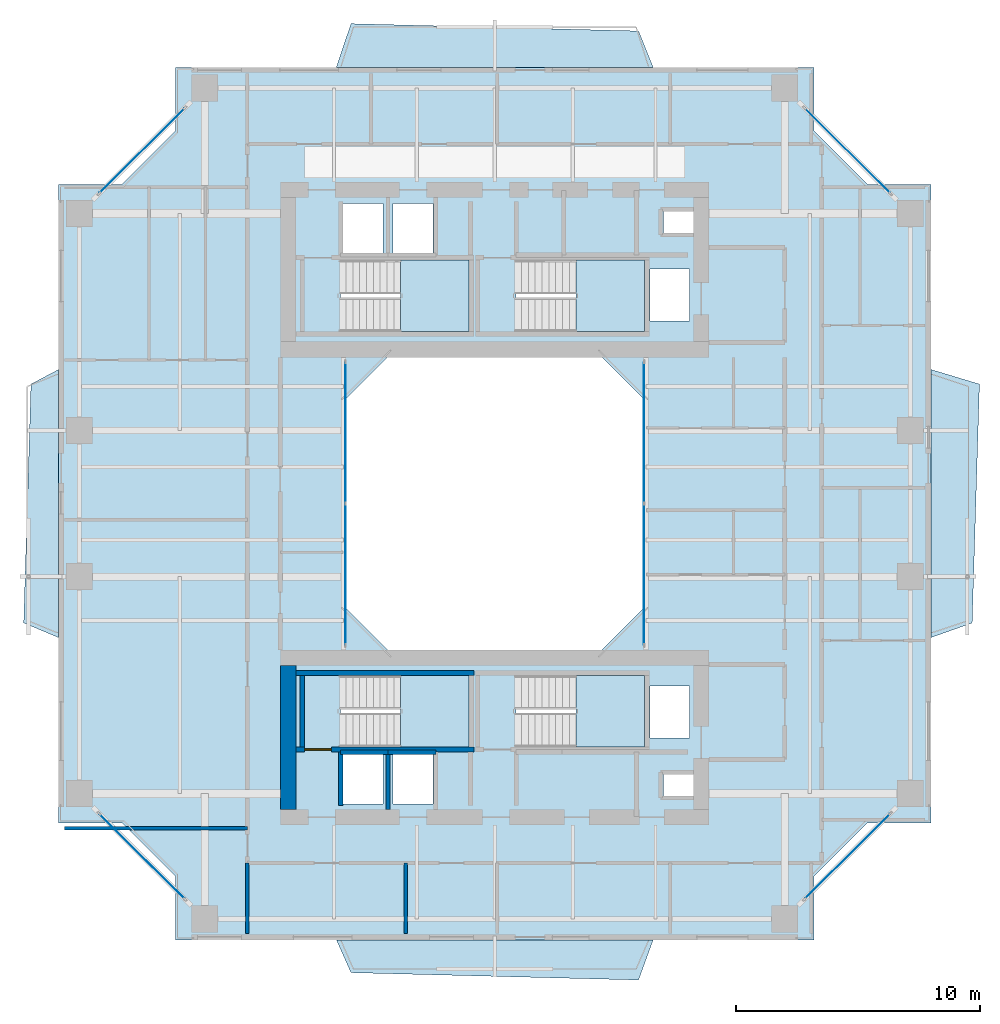
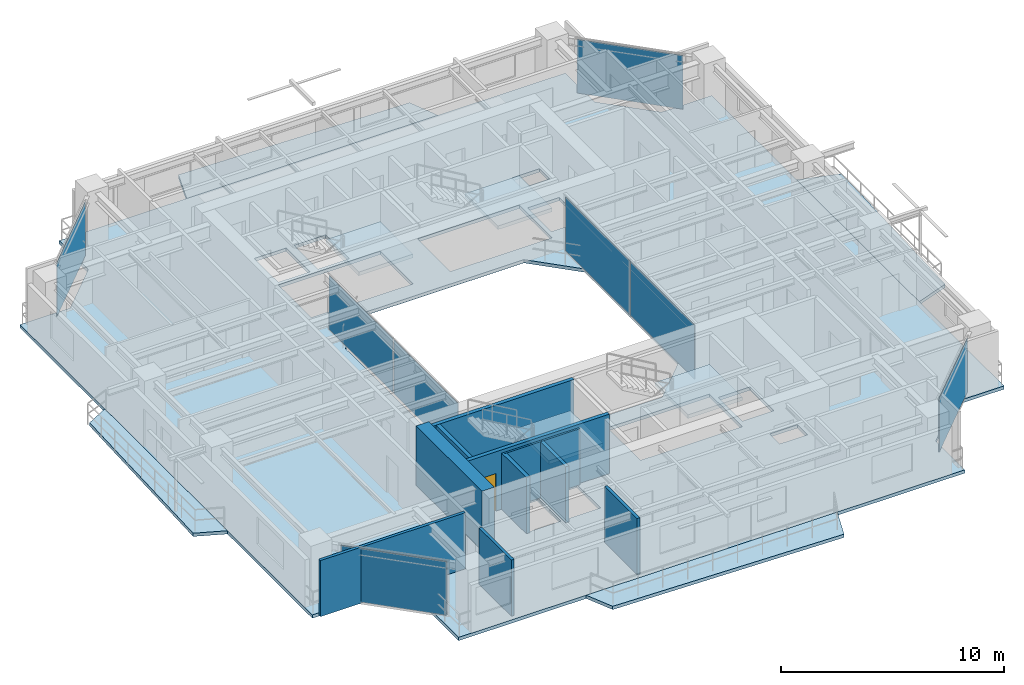
# One storey, part 9 of 17: 11 walls, 9 slabs, 8 plates, 1 door, 1 opening, 10 elements without a shape of their own.
"""IFC4 building model written with IfcOpenShell, lengths in metres."""

from ifc_helpers import new_model, si_unit, direction, frame, frame_2d, origin, origin_2d, place, context, subcontext, project, spatial, polyline, rectangle, outline, extrude, source, transform, mapped, material, layer, layer_set, type_object, element, fill, aggregate, save


model = new_model("IFC4")

# Units and contexts
model_context = context("Model", 3, precision=1e-05, world=origin(), true_north=direction((0.0, 1.0)))
body_context = subcontext(model_context, "Body", "Model", "MODEL_VIEW")
ifc_project = project(units=[si_unit("LENGTHUNIT", "METRE"), si_unit("AREAUNIT", "SQUARE_METRE"), si_unit("VOLUMEUNIT", "CUBIC_METRE"), si_unit("PLANEANGLEUNIT", "RADIAN"), si_unit("MASSUNIT", "GRAM", prefix="KILO"), si_unit("THERMODYNAMICTEMPERATUREUNIT", "KELVIN"), si_unit("POWERUNIT", "WATT")], contexts=[model_context])

# Site, building, storey
site_placement = place(None, origin())
site = spatial("IfcSite", under=ifc_project, at=site_placement, CompositionType="ELEMENT")
building_placement = place(site_placement, origin())
building = spatial("IfcBuilding", under=site, at=building_placement, Name="Qiaomeng Ring Towers", CompositionType="ELEMENT")
storey_placement = place(building_placement, frame((0.0, 0.0, 116.5)))
storey = spatial("IfcBuildingStorey", under=building, at=storey_placement, Name="L33", CompositionType="ELEMENT", Elevation=116.5)

# Slabs
ifc_material_1 = material(Name="Concrete C40", Category="concrete")
ifc_layer_1 = layer(ifc_material_1, 0.179931640625, Name="Concrete C40")
ifc_layer_set_1 = layer_set([ifc_layer_1], Name="Concrete C40")
slab_type_1 = type_object("IfcSlabType", Name="STR-SL-180", PredefinedType="FLOOR", material=ifc_layer_set_1)
slab_1_placement = place(storey_placement, frame((0.0, 0.0, -0.179931640625)))
element("IfcSlab", 1, at=slab_1_placement, inside=storey, type_object=slab_type_1, Name="L33 Tower 1 Annular Floor Slab", PredefinedType="FLOOR", context=body_context, shape_type="SweptSolid", body=[
    extrude(outline(polyline([(5.89990234375, 5.10009765625), (32.10009765625, 5.10009765625), (32.10009765625, 7.699951171875), (34.300048828125, 9.89990234375), (36.89990234375, 9.89990234375), (36.89990234375, 36.10009765625), (34.300048828125, 36.10009765625), (32.10009765625, 38.300048828125), (32.10009765625, 40.89990234375), (5.89990234375, 40.89990234375), (5.89990234375, 38.300048828125), (3.699951171875, 36.10009765625), (1.10009765625, 36.10009765625), (1.10009765625, 9.89990234375), (3.699951171875, 9.89990234375), (5.89990234375, 7.699951171875), (5.89990234375, 5.10009765625)]), holes=[polyline([(12.780029296875, 10.679931640625), (12.780029296875, 12.820068359375), (14.419921875, 12.820068359375), (14.419921875, 10.679931640625), (12.780029296875, 10.679931640625)]), polyline([(14.830078125, 12.820068359375), (16.469970703125, 12.820068359375), (16.469970703125, 10.679931640625), (14.830078125, 10.679931640625), (14.830078125, 12.820068359375)]), polyline([(12.679931640625, 15.949951171875), (17.949951171875, 15.949951171875), (17.949951171875, 13.010009765625), (12.679931640625, 13.010009765625), (12.679931640625, 15.949951171875)]), polyline([(23.199951171875, 29.199951171875), (25.199951171875, 27.199951171875), (25.199951171875, 18.800048828125), (23.199951171875, 16.800048828125), (14.800048828125, 16.800048828125), (12.800048828125, 18.800048828125), (12.800048828125, 27.199951171875), (14.800048828125, 29.199951171875), (23.199951171875, 29.199951171875)]), polyline([(12.679931640625, 32.989990234375), (17.949951171875, 32.989990234375), (17.949951171875, 30.050048828125), (12.679931640625, 30.050048828125), (12.679931640625, 32.989990234375)]), polyline([(12.780029296875, 35.320068359375), (14.419921875, 35.320068359375), (14.419921875, 33.179931640625), (12.780029296875, 33.179931640625), (12.780029296875, 35.320068359375)]), polyline([(14.830078125, 33.179931640625), (14.830078125, 35.320068359375), (16.469970703125, 35.320068359375), (16.469970703125, 33.179931640625), (14.830078125, 33.179931640625)]), polyline([(25.919921875, 11.89990234375), (27.360107421875, 11.89990234375), (27.360107421875, 11.0), (25.919921875, 11.0), (25.919921875, 11.89990234375)]), polyline([(25.360107421875, 15.52001953125), (27.0, 15.52001953125), (27.0, 13.3798828125), (25.360107421875, 13.3798828125), (25.360107421875, 15.52001953125)]), polyline([(19.8798828125, 15.949951171875), (25.14990234375, 15.949951171875), (25.14990234375, 13.010009765625), (19.8798828125, 13.010009765625), (19.8798828125, 15.949951171875)]), polyline([(19.8798828125, 32.989990234375), (25.14990234375, 32.989990234375), (25.14990234375, 30.050048828125), (19.8798828125, 30.050048828125), (19.8798828125, 32.989990234375)]), polyline([(25.360107421875, 32.6201171875), (27.0, 32.6201171875), (27.0, 30.47998046875), (25.360107421875, 30.47998046875), (25.360107421875, 32.6201171875)]), polyline([(25.919921875, 35.0), (27.360107421875, 35.0), (27.360107421875, 34.10009765625), (25.919921875, 34.10009765625), (25.919921875, 35.0)])]), origin(), (0.0, 0.0, 1.0), 0.179931640625),
])
ifc_layer_2 = layer(ifc_material_1, 0.179931640625, Name="Concrete C40")
ifc_layer_set_2 = layer_set([ifc_layer_2], Name="Concrete C40")
slab_type_2 = type_object("IfcSlabType", Name="STR-SL-BAL", PredefinedType="FLOOR", material=ifc_layer_set_2)
slab_2_placement = place(storey_placement, frame((0.0, 0.0, -0.179931640625)))
element("IfcSlab", 2, at=slab_2_placement, inside=storey, type_object=slab_type_2, Name="L33 Tower 1 S Faceted Balcony Slab", PredefinedType="FLOOR", context=body_context, shape_type="SweptSolid", body=[
    extrude(outline(polyline([(24.89990234375, 3.449951171875), (13.10009765625, 3.75), (12.5, 5.10009765625), (25.5, 5.10009765625), (24.89990234375, 3.449951171875)])), origin(), (0.0, 0.0, 1.0), 0.179931640625),
])
slab_3_placement = place(storey_placement, frame((0.0, 0.0, -0.179931640625)))
element("IfcSlab", 3, at=slab_3_placement, inside=storey, type_object=slab_type_2, Name="L33 Tower 1 E Faceted Balcony Slab", PredefinedType="FLOOR", context=body_context, shape_type="SweptSolid", body=[
    extrude(outline(polyline([(38.889892578125, 27.89990234375), (38.590087890625, 18.10009765625), (36.89990234375, 17.5), (36.89990234375, 28.5), (38.889892578125, 27.89990234375)])), origin(), (0.0, 0.0, 1.0), 0.179931640625),
])
slab_4_placement = place(storey_placement, frame((0.0, 0.0, -0.179931640625)))
element("IfcSlab", 4, at=slab_4_placement, inside=storey, type_object=slab_type_2, Name="L33 Tower 1 N Faceted Balcony Slab", PredefinedType="FLOOR", context=body_context, shape_type="SweptSolid", body=[
    extrude(outline(polyline([(12.5, 40.89990234375), (13.10009765625, 42.68994140625), (24.89990234375, 42.389892578125), (25.5, 40.89990234375), (12.5, 40.89990234375)])), origin(), (0.0, 0.0, 1.0), 0.179931640625),
])
slab_5_placement = place(storey_placement, frame((0.0, 0.0, -0.179931640625)))
element("IfcSlab", 5, at=slab_5_placement, inside=storey, type_object=slab_type_2, Name="L33 Tower 1 W Faceted Balcony Slab", PredefinedType="FLOOR", context=body_context, shape_type="SweptSolid", body=[
    extrude(outline(polyline([(-0.330078125, 18.10009765625), (-0.030029296875, 27.89990234375), (1.10009765625, 28.5), (1.10009765625, 17.5), (-0.330078125, 18.10009765625)])), origin(), (0.0, 0.0, 1.0), 0.179931640625),
])

# Stair, slab
ifc_material_2 = material(Name="Precast concrete C40", Category="concrete")
stair_type = type_object("IfcStairType", Name="ARC-ST-325", PredefinedType="HALF_TURN_STAIR", material=ifc_material_2)
stair_1_placement = place(storey_placement, origin())
stair_1 = element("IfcStair", 6, at=stair_1_placement, inside=storey, type_object=stair_type, Name="L33 Tower 1 North Stair 1", PredefinedType="HALF_TURN_STAIR")
ifc_layer_3 = layer(ifc_material_1, 0.199951171875, Name="Concrete C40")
ifc_layer_set_3 = layer_set([ifc_layer_3], Name="Concrete C40")
slab_type_3 = type_object("IfcSlabType", Name="STR-SL-LANDING", PredefinedType="LANDING", material=ifc_layer_set_3)
slab_6_placement = place(storey_placement, frame((0.0, 0.0, 1.425048828125)))
slab_6 = element("IfcSlab", 7, at=slab_6_placement, type_object=slab_type_3, Name="ST1 landing 1", PredefinedType="LANDING", context=body_context, shape_type="SweptSolid", body=[
    extrude(outline(polyline([(15.139892578125, 30.050048828125), (17.949951171875, 30.050048828125), (17.949951171875, 32.989990234375), (15.139892578125, 32.989990234375), (15.139892578125, 30.050048828125)])), origin(), (0.0, 0.0, 1.0), 0.199951171875),
])
aggregate(stair_1, [slab_6])

stair_2_placement = place(storey_placement, origin())
stair_2 = element("IfcStair", 8, at=stair_2_placement, inside=storey, type_object=stair_type, Name="L33 Tower 1 North Stair 2", PredefinedType="HALF_TURN_STAIR")
slab_7_placement = place(storey_placement, frame((0.0, 0.0, 1.425048828125)))
slab_7 = element("IfcSlab", 9, at=slab_7_placement, type_object=slab_type_3, Name="ST2 landing 1", PredefinedType="LANDING", context=body_context, shape_type="SweptSolid", body=[
    extrude(outline(polyline([(22.340087890625, 30.050048828125), (25.14990234375, 30.050048828125), (25.14990234375, 32.989990234375), (22.340087890625, 32.989990234375), (22.340087890625, 30.050048828125)])), origin(), (0.0, 0.0, 1.0), 0.199951171875),
])
aggregate(stair_2, [slab_7])

stair_3_placement = place(storey_placement, origin())
stair_3 = element("IfcStair", 10, at=stair_3_placement, inside=storey, type_object=stair_type, Name="L33 Tower 1 South Stair 3", PredefinedType="HALF_TURN_STAIR")
slab_8_placement = place(storey_placement, frame((0.0, 0.0, 1.425048828125)))
slab_8 = element("IfcSlab", 11, at=slab_8_placement, type_object=slab_type_3, Name="ST3 landing 1", PredefinedType="LANDING", context=body_context, shape_type="SweptSolid", body=[
    extrude(outline(polyline([(15.139892578125, 13.010009765625), (17.949951171875, 13.010009765625), (17.949951171875, 15.949951171875), (15.139892578125, 15.949951171875), (15.139892578125, 13.010009765625)])), origin(), (0.0, 0.0, 1.0), 0.199951171875),
])
aggregate(stair_3, [slab_8])

stair_4_placement = place(storey_placement, origin())
stair_4 = element("IfcStair", 12, at=stair_4_placement, inside=storey, type_object=stair_type, Name="L33 Tower 1 South Stair 4", PredefinedType="HALF_TURN_STAIR")
slab_9_placement = place(storey_placement, frame((0.0, 0.0, 1.425048828125)))
slab_9 = element("IfcSlab", 13, at=slab_9_placement, type_object=slab_type_3, Name="ST4 landing 1", PredefinedType="LANDING", context=body_context, shape_type="SweptSolid", body=[
    extrude(outline(polyline([(22.340087890625, 13.010009765625), (25.14990234375, 13.010009765625), (25.14990234375, 15.949951171875), (22.340087890625, 15.949951171875), (22.340087890625, 13.010009765625)])), origin(), (0.0, 0.0, 1.0), 0.199951171875),
])
aggregate(stair_4, [slab_9])

# Curtain wall, plates
ifc_material_3 = material(Name="Fluorocarbon dark-grey aluminium", Category="aluminium")
ifc_layer_4 = layer(ifc_material_3, 0.139892578125, Name="Fluorocarbon dark-grey aluminium")
ifc_layer_set_4 = layer_set([ifc_layer_4], Name="Fluorocarbon dark-grey aluminium")
curtain_wall_type_1 = type_object("IfcCurtainWallType", Name="ARC-CW-4", PredefinedType="NOTDEFINED", material=ifc_layer_set_4)
curtain_wall_1_placement = place(storey_placement, origin())
curtain_wall_1 = element("IfcCurtainWall", 14, at=curtain_wall_1_placement, inside=storey, type_object=curtain_wall_type_1, Name="L33 Curtain Wall CW4", PredefinedType="NOTDEFINED")
ifc_material_4 = material(Name="Low-E dark-grey laminated double glazing", Category="glass")
ifc_layer_5 = layer(ifc_material_4, 0.028076171875, Name="Low-E dark-grey laminated double glazing")
ifc_layer_set_5 = layer_set([ifc_layer_5], Name="Low-E dark-grey laminated double glazing")
plate_type = type_object("IfcPlateType", Name="ARC-CWP-DARK", PredefinedType="CURTAIN_PANEL", material=ifc_layer_set_5)
shared_shape_1 = source(origin(), body_context, "Body", "SweptSolid", [
    extrude(rectangle(XDim=5.75244140625, YDim=0.028076171875, at=origin_2d()), origin(), (0.0, 0.0, 1.0), 2.93994140625),
])
plate_1_placement = place(storey_placement, frame((12.8798828125, 20.09130859375, 0.06494140625), z_axis=(0.0, 0.0, 1.0), x_axis=(0.0, 1.0, 0.0)))
plate_1 = element("IfcPlate", 15, at=plate_1_placement, type_object=plate_type, Name="CW4 panel 1.1", PredefinedType="CURTAIN_PANEL", context=body_context, shape_type="MappedRepresentation", body=[
    mapped(shared_shape_1, transform((0.0, 0.0, 0.0), x_axis=(1.0, 0.0, 0.0), y_axis=(0.0, 1.0, 0.0), z_axis=(0.0, 0.0, 1.0), scale=1.0)),
])
plate_2_placement = place(storey_placement, frame((12.8798828125, 25.90869140625, 0.06494140625), z_axis=(0.0, 0.0, 1.0), x_axis=(0.0, 1.0, 0.0)))
plate_2 = element("IfcPlate", 16, at=plate_2_placement, type_object=plate_type, Name="CW4 panel 2.1", PredefinedType="CURTAIN_PANEL", context=body_context, shape_type="MappedRepresentation", body=[
    mapped(shared_shape_1, transform((0.0, 0.0, 0.0), x_axis=(1.0, 0.0, 0.0), y_axis=(0.0, 1.0, 0.0), z_axis=(0.0, 0.0, 1.0), scale=1.0)),
])
aggregate(curtain_wall_1, [plate_1, plate_2])

curtain_wall_2_placement = place(storey_placement, origin())
curtain_wall_2 = element("IfcCurtainWall", 17, at=curtain_wall_2_placement, inside=storey, type_object=curtain_wall_type_1, Name="L33 Curtain Wall CW4", PredefinedType="NOTDEFINED")
plate_3_placement = place(storey_placement, frame((25.1201171875, 20.09130859375, 0.06494140625), z_axis=(0.0, 0.0, 1.0), x_axis=(0.0, 1.0, 0.0)))
plate_3 = element("IfcPlate", 18, at=plate_3_placement, type_object=plate_type, Name="CW4 panel 1.1", PredefinedType="CURTAIN_PANEL", context=body_context, shape_type="MappedRepresentation", body=[
    mapped(shared_shape_1, transform((0.0, 0.0, 0.0), x_axis=(1.0, 0.0, 0.0), y_axis=(0.0, 1.0, 0.0), z_axis=(0.0, 0.0, 1.0), scale=1.0)),
])
plate_4_placement = place(storey_placement, frame((25.1201171875, 25.90869140625, 0.06494140625), z_axis=(0.0, 0.0, 1.0), x_axis=(0.0, 1.0, 0.0)))
plate_4 = element("IfcPlate", 19, at=plate_4_placement, type_object=plate_type, Name="CW4 panel 2.1", PredefinedType="CURTAIN_PANEL", context=body_context, shape_type="MappedRepresentation", body=[
    mapped(shared_shape_1, transform((0.0, 0.0, 0.0), x_axis=(1.0, 0.0, 0.0), y_axis=(0.0, 1.0, 0.0), z_axis=(0.0, 0.0, 1.0), scale=1.0)),
])
aggregate(curtain_wall_2, [plate_3, plate_4])

# Curtain wall, plate
ifc_layer_6 = layer(ifc_material_3, 0.14990234375, Name="Fluorocarbon dark-grey aluminium")
ifc_layer_set_6 = layer_set([ifc_layer_6], Name="Fluorocarbon dark-grey aluminium")
curtain_wall_type_2 = type_object("IfcCurtainWallType", Name="ARC-CW-3", PredefinedType="NOTDEFINED", material=ifc_layer_set_6)
curtain_wall_3_placement = place(storey_placement, origin())
curtain_wall_3 = element("IfcCurtainWall", 20, at=curtain_wall_3_placement, inside=storey, type_object=curtain_wall_type_2, Name="L33 Curtain Wall CW3", PredefinedType="NOTDEFINED")
shared_shape_2 = source(origin(), body_context, "Body", "SweptSolid", [
    extrude(rectangle(XDim=4.90869140625, YDim=0.028076171875, at=origin_2d()), origin(), (0.0, 0.0, 1.0), 2.93994140625),
])
plate_5_placement = place(storey_placement, frame((33.47509765625, 8.52490234375, 0.06494140625), z_axis=(0.0, 0.0, 1.0), x_axis=(0.707106781187, 0.707106781187, 0.0)))
plate_5 = element("IfcPlate", 21, at=plate_5_placement, type_object=plate_type, Name="CW3 panel 1.1", PredefinedType="CURTAIN_PANEL", context=body_context, shape_type="MappedRepresentation", body=[
    mapped(shared_shape_2, transform((0.0, 0.0, 0.0), x_axis=(1.0, 0.0, 0.0), y_axis=(0.0, 1.0, 0.0), z_axis=(0.0, 0.0, 1.0), scale=1.0)),
])
aggregate(curtain_wall_3, [plate_5])

curtain_wall_4_placement = place(storey_placement, origin())
curtain_wall_4 = element("IfcCurtainWall", 22, at=curtain_wall_4_placement, inside=storey, type_object=curtain_wall_type_2, Name="L33 Curtain Wall CW3", PredefinedType="NOTDEFINED")
plate_6_placement = place(storey_placement, frame((33.47509765625, 37.47509765625, 0.06494140625), z_axis=(0.0, 0.0, 1.0), x_axis=(-0.707106781187, 0.707106781187, 0.0)))
plate_6 = element("IfcPlate", 23, at=plate_6_placement, type_object=plate_type, Name="CW3 panel 1.1", PredefinedType="CURTAIN_PANEL", context=body_context, shape_type="MappedRepresentation", body=[
    mapped(shared_shape_2, transform((0.0, 0.0, 0.0), x_axis=(1.0, 0.0, 0.0), y_axis=(0.0, 1.0, 0.0), z_axis=(0.0, 0.0, 1.0), scale=1.0)),
])
aggregate(curtain_wall_4, [plate_6])

curtain_wall_5_placement = place(storey_placement, origin())
curtain_wall_5 = element("IfcCurtainWall", 24, at=curtain_wall_5_placement, inside=storey, type_object=curtain_wall_type_2, Name="L33 Curtain Wall CW3", PredefinedType="NOTDEFINED")
plate_7_placement = place(storey_placement, frame((4.52490234375, 37.47509765625, 0.06494140625), z_axis=(0.0, 0.0, 1.0), x_axis=(-0.707106781187, -0.707106781187, 0.0)))
plate_7 = element("IfcPlate", 25, at=plate_7_placement, type_object=plate_type, Name="CW3 panel 1.1", PredefinedType="CURTAIN_PANEL", context=body_context, shape_type="MappedRepresentation", body=[
    mapped(shared_shape_2, transform((0.0, 0.0, 0.0), x_axis=(1.0, 0.0, 0.0), y_axis=(0.0, 1.0, 0.0), z_axis=(0.0, 0.0, 1.0), scale=1.0)),
])
aggregate(curtain_wall_5, [plate_7])

curtain_wall_6_placement = place(storey_placement, origin())
curtain_wall_6 = element("IfcCurtainWall", 26, at=curtain_wall_6_placement, inside=storey, type_object=curtain_wall_type_2, Name="L33 Curtain Wall CW3", PredefinedType="NOTDEFINED")
plate_8_placement = place(storey_placement, frame((4.52490234375, 8.52490234375, 0.06494140625), z_axis=(0.0, 0.0, 1.0), x_axis=(0.707106781187, -0.707106781187, 0.0)))
plate_8 = element("IfcPlate", 27, at=plate_8_placement, type_object=plate_type, Name="CW3 panel 1.1", PredefinedType="CURTAIN_PANEL", context=body_context, shape_type="MappedRepresentation", body=[
    mapped(shared_shape_2, transform((0.0, 0.0, 0.0), x_axis=(1.0, 0.0, 0.0), y_axis=(0.0, 1.0, 0.0), z_axis=(0.0, 0.0, 1.0), scale=1.0)),
])
aggregate(curtain_wall_6, [plate_8])

# Walls
ifc_material_5 = material(Name="Autoclaved aerated concrete block", Category="concrete")
ifc_layer_7 = layer(ifc_material_5, 0.199951171875, Name="Autoclaved aerated concrete block")
ifc_layer_set_7 = layer_set([ifc_layer_7], Name="Autoclaved aerated concrete block")
wall_type_1 = type_object("IfcWallType", Name="ARC-WL-PW1", PredefinedType="PARTITIONING", material=ifc_layer_set_7)
wall_1_placement = place(storey_placement, frame((12.679931640625, 10.60009765625, 0.0), z_axis=(0.0, 0.0, 1.0), x_axis=(0.0, 1.0, 0.0)))
element("IfcWall", 28, at=wall_1_placement, inside=storey, type_object=wall_type_1, Name="L33 Interior Wall PW1", PredefinedType="PARTITIONING", context=body_context, shape_type="SweptSolid", body=[
    extrude(rectangle(XDim=2.2099609375, YDim=0.199951171875, at=frame_2d((1.10498046875, 0.0))), origin(), (0.0, 0.0, 1.0), 3.070068359375),
])
ifc_material_6 = material(Name="Gypsum fireboard steel-stud partition", Category="steel")
ifc_layer_8 = layer(ifc_material_6, 0.14990234375, Name="Gypsum fireboard steel-stud partition")
ifc_layer_set_8 = layer_set([ifc_layer_8], Name="Gypsum fireboard steel-stud partition")
wall_type_2 = type_object("IfcWallType", Name="ARC-WL-PW3", PredefinedType="PARTITIONING", material=ifc_layer_set_8)
for number, where, z_axis, x_axis, name in (
    (29, (15.35009765625, 5.35009765625, 0.0), (0.0, 0.0, 1.0), (0.0, 1.0, 0.0), "L33 Interior Wall PW3"),
    (30, (8.85009765625, 5.35009765625, 0.0), (0.0, 0.0, 1.0), (0.0, 1.0, 0.0), "L33 Interior Wall PW3"),
):
    element("IfcWall", number, at=place(storey_placement, frame(where, z_axis=z_axis, x_axis=x_axis)), inside=storey, type_object=wall_type_2, Name=name, PredefinedType="PARTITIONING", context=body_context, shape_type="SweptSolid", body=[
        extrude(rectangle(XDim=2.89990234375, YDim=0.14990234375, at=frame_2d((1.449951171875, 0.0))), origin(), (0.0, 0.0, 1.0), 3.070068359375),
    ])
wall_2_placement = place(storey_placement, frame((1.35009765625, 9.669921875, 0.0), z_axis=(0.0, 0.0, 1.0), x_axis=(1.0, 0.0, 0.0)))
element("IfcWall", 31, at=wall_2_placement, inside=storey, type_object=wall_type_2, Name="L33 Interior Wall PW3", PredefinedType="PARTITIONING", context=body_context, shape_type="SweptSolid", body=[
    extrude(rectangle(XDim=7.5, YDim=0.14990234375, at=frame_2d((3.75, 0.0))), origin(), (0.0, 0.0, 1.0), 3.070068359375),
])
ifc_layer_9 = layer(ifc_material_1, 0.199951171875, Name="Concrete C40")
ifc_layer_set_9 = layer_set([ifc_layer_9], Name="Concrete C40")
wall_type_3 = type_object("IfcWallType", Name="STR-WL-STSHAFT", PredefinedType="SHEAR", material=ifc_layer_set_9)
wall_3_placement = place(storey_placement, frame((12.679931640625, 12.800048828125, 0.0), z_axis=(0.0, 0.0, 1.0), x_axis=(1.0, 0.0, 0.0)))
element("IfcWall", 32, at=wall_3_placement, inside=storey, type_object=wall_type_3, Name="L33 Lift LP6 Shaft Back Wall", PredefinedType="SHEAR", context=body_context, shape_type="SweptSolid", body=[
    extrude(rectangle(XDim=1.940185546875, YDim=0.179931640625, at=frame_2d((0.97021484375, 0.0))), origin(), (0.0, 0.0, 1.0), 3.070068359375),
])
wall_4_placement = place(storey_placement, frame((14.6201171875, 10.449951171875, 0.0), z_axis=(0.0, 0.0, 1.0), x_axis=(0.0, 1.0, 0.0)))
element("IfcWall", 33, at=wall_4_placement, inside=storey, type_object=wall_type_3, Name="L33 Lift LP6-LP4 Shaft Divider Wall", PredefinedType="SHEAR", context=body_context, shape_type="SweptSolid", body=[
    extrude(rectangle(XDim=2.35009765625, YDim=0.179931640625, at=frame_2d((1.175048828125, 0.0))), origin(), (0.0, 0.0, 1.0), 3.070068359375),
])
wall_5_placement = place(storey_placement, frame((14.6201171875, 12.800048828125, 0.0), z_axis=(0.0, 0.0, 1.0), x_axis=(1.0, 0.0, 0.0)))
element("IfcWall", 34, at=wall_5_placement, inside=storey, type_object=wall_type_3, Name="L33 Lift LP4 Shaft Back Wall", PredefinedType="SHEAR", context=body_context, shape_type="SweptSolid", body=[
    extrude(rectangle(XDim=1.9599609375, YDim=0.179931640625, at=frame_2d((0.97998046875, 0.0))), origin(), (0.0, 0.0, 1.0), 3.070068359375),
])

# Wall, opening, door
wall_6_placement = place(storey_placement, frame((10.85009765625, 12.909912109375, 0.0), z_axis=(0.0, 0.0, 1.0), x_axis=(1.0, 0.0, 0.0)))
wall_6 = element("IfcWall", 35, at=wall_6_placement, inside=storey, type_object=wall_type_3, Name="L33 Stair ST3 South Shaft Shear Wall", PredefinedType="SHEAR", context=body_context, shape_type="SweptSolid", body=[
    extrude(rectangle(XDim=7.2998046875, YDim=0.199951171875, at=frame_2d((3.64990234375, 0.0))), origin(), (0.0, 0.0, 1.0), 3.25),
])
opening_placement = place(wall_6_placement, frame((0.35009765625, 0.0, 0.0)))
opening = element("IfcOpeningElement", 36, at=opening_placement, cuts=wall_6, Name="Opening FD3", PredefinedType="OPENING", context=body_context, shape_type="SweptSolid", body=[
    extrude(rectangle(XDim=1.10009765625, YDim=2.050048828125, at=frame_2d((0.550048828125, 1.02490234375))), frame((0.0, 0.10986328125, 0.0), z_axis=(0.0, -1.0, 0.0), x_axis=(1.0, 0.0, 0.0)), (0.0, 0.0, 1.0), 0.219970703125),
])
ifc_material_7 = material(Name="Galvanised steel", Category="steel")
door_type = type_object("IfcDoorType", Name="ARC-DR-FD3", OperationType="NOTDEFINED", PredefinedType="DOOR", material=ifc_material_7)
shared_shape_3 = source(origin(), body_context, "Body", "SweptSolid", [
    extrude(rectangle(XDim=1.10009765625, YDim=2.050048828125, at=frame_2d((0.550048828125, 1.02490234375))), frame((0.0, 0.02490234375, 0.0), z_axis=(0.0, -1.0, 0.0), x_axis=(1.0, 0.0, 0.0)), (0.0, 0.0, 1.0), 0.050048828125),
])
door_placement = place(opening_placement, frame((1.10009765625, 0.0, 0.0), z_axis=(0.0, 0.0, 1.0), x_axis=(-1.0, 0.0, 0.0)))
door = element("IfcDoor", 37, at=door_placement, inside=storey, type_object=door_type, Name="L33 Stair ST3 Exit Door", OperationType="SINGLE_SWING_RIGHT", OverallHeight=2.050048828125, OverallWidth=1.10009765625, PredefinedType="DOOR", context=body_context, shape_type="MappedRepresentation", body=[
    mapped(shared_shape_3, transform((0.0, 0.0, 0.0), x_axis=(1.0, 0.0, 0.0), y_axis=(0.0, 1.0, 0.0), z_axis=(0.0, 0.0, 1.0), scale=1.0)),
])
fill(opening, door)

# Walls
wall_7_placement = place(storey_placement, frame((10.85009765625, 16.050048828125, 0.0), z_axis=(0.0, 0.0, 1.0), x_axis=(1.0, 0.0, 0.0)))
element("IfcWall", 38, at=wall_7_placement, inside=storey, type_object=wall_type_3, Name="L33 Stair ST3 North Shaft Shear Wall", PredefinedType="SHEAR", context=body_context, shape_type="SweptSolid", body=[
    extrude(rectangle(XDim=7.2998046875, YDim=0.199951171875, at=frame_2d((3.64990234375, 0.0))), origin(), (0.0, 0.0, 1.0), 3.25),
])
wall_8_placement = place(storey_placement, frame((11.10009765625, 13.010009765625, 0.0), z_axis=(0.0, 0.0, 1.0), x_axis=(0.0, 1.0, 0.0)))
element("IfcWall", 39, at=wall_8_placement, inside=storey, type_object=wall_type_3, Name="L33 Stair ST3 West Shaft Shear Wall", PredefinedType="SHEAR", context=body_context, shape_type="SweptSolid", body=[
    extrude(rectangle(XDim=2.93994140625, YDim=0.199951171875, at=frame_2d((1.469970703125, 0.0))), origin(), (0.0, 0.0, 1.0), 3.25),
])
ifc_material_8 = material(Name="Concrete C55", Category="concrete")
ifc_layer_10 = layer(ifc_material_8, 0.64990234375, Name="Concrete C55")
ifc_layer_set_10 = layer_set([ifc_layer_10], Name="Concrete C55")
wall_type_4 = type_object("IfcWallType", Name="STR-WL-SW2A", PredefinedType="SHEAR", material=ifc_layer_set_10)
wall_9_placement = place(storey_placement, frame((10.52490234375, 10.449951171875, 0.0), z_axis=(0.0, 0.0, 1.0), x_axis=(0.0, 1.0, 0.0)))
element("IfcWall", 40, at=wall_9_placement, inside=storey, type_object=wall_type_4, Name="L33 T1SC west core shear wall", PredefinedType="SHEAR", context=body_context, shape_type="SweptSolid", body=[
    extrude(rectangle(XDim=5.900146484375, YDim=0.64990234375, at=frame_2d((2.9501953125, 0.0))), origin(), (0.0, 0.0, 1.0), 3.25),
])

save(model, "model.ifc")
